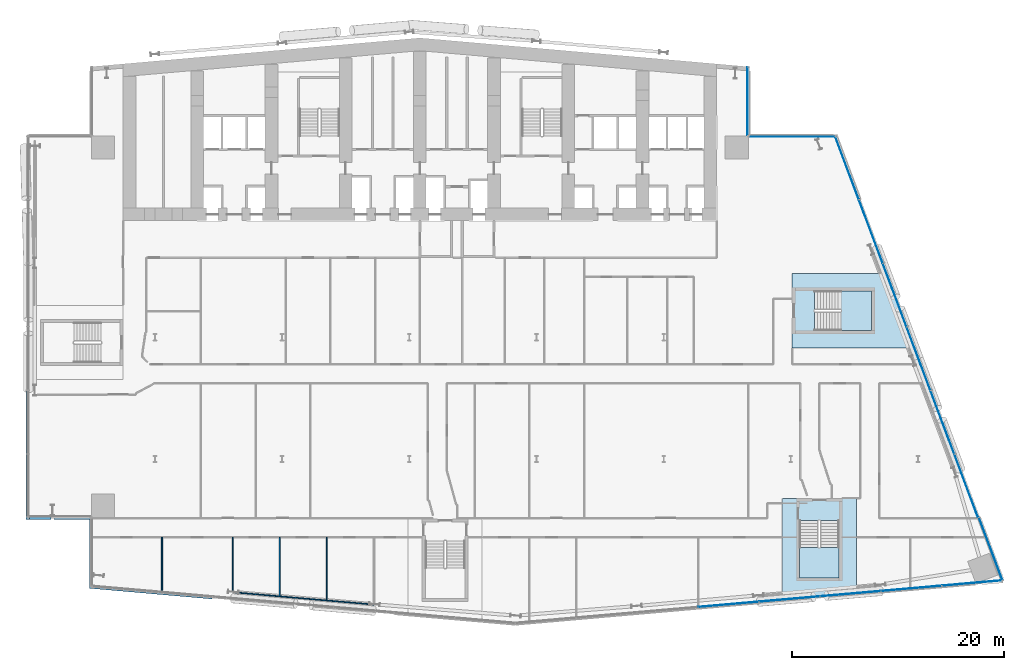
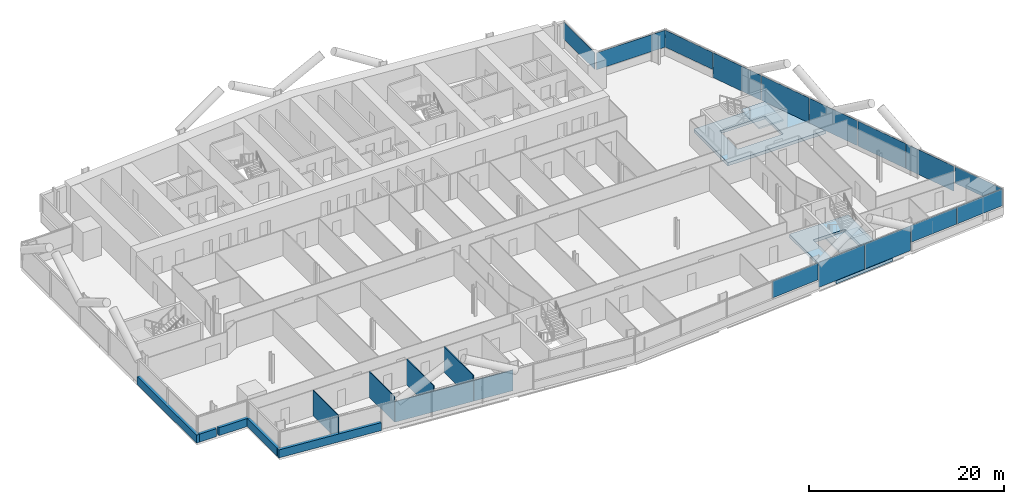
# One storey, part 12 of 28: 14 plates, 11 walls, 4 slabs, 6 elements without a shape of their own.
"""IFC4 building model written with IfcOpenShell, lengths in metres."""

from ifc_helpers import new_model, si_unit, direction, frame, frame_2d, origin, origin_2d, place, context, subcontext, project, spatial, polyline, rectangle, outline, extrude, material, layer, layer_set, type_object, element, aggregate, save


model = new_model("IFC4")

# Units and contexts
model_context = context("Model", 3, precision=1e-05, world=origin(), true_north=direction((0.0, 1.0)))
body_context = subcontext(model_context, "Body", "Model", "MODEL_VIEW")
ifc_project = project(units=[si_unit("LENGTHUNIT", "METRE"), si_unit("AREAUNIT", "SQUARE_METRE"), si_unit("VOLUMEUNIT", "CUBIC_METRE"), si_unit("PLANEANGLEUNIT", "RADIAN"), si_unit("MASSUNIT", "GRAM", prefix="KILO")], contexts=[model_context])

# Site, building, storey
site_placement = place(None, origin())
site = spatial("IfcSite", under=ifc_project, at=site_placement, CompositionType="ELEMENT")
building_placement = place(site_placement, origin())
building = spatial("IfcBuilding", under=site, at=building_placement, Name="Wharfspan Tower", CompositionType="ELEMENT")
storey_placement = place(building_placement, frame((0.0, 0.0, 52.300049)))
storey = spatial("IfcBuildingStorey", under=building, at=storey_placement, Name="L09", CompositionType="ELEMENT", Elevation=52.300049)

# Curtain wall, plates
ifc_material_1 = material(Name="Aluminium 6063-T6", Category="aluminium")
curtain_wall_type_1 = type_object("IfcCurtainWallType", Name="CURTAIN WALL FACETED FRONT", PredefinedType="NOTDEFINED", material=ifc_material_1)
curtain_wall_1_placement = place(storey_placement, origin())
curtain_wall_1 = element("IfcCurtainWall", 1, at=curtain_wall_1_placement, inside=storey, type_object=curtain_wall_type_1, Name="Curtain wall S2", PredefinedType="NOTDEFINED")
ifc_material_2 = material(Name="Glass clear low-iron double glazing", Category="glass")
ifc_layer_1 = layer(ifc_material_2, 0.040039)
ifc_layer_set_1 = layer_set([ifc_layer_1], Name="Glass clear low-iron double glazing")
plate_type_1 = type_object("IfcPlateType", Name="GLASS PANEL FACETED FRONT 40", PredefinedType="CURTAIN_PANEL", material=ifc_layer_set_1)
plate_1_placement = place(storey_placement, frame((66.119873, -2.204102, 1.0), z_axis=(0.0, 0.0, 1.0), x_axis=(0.996197, 0.087156, 0.0)))
plate_1 = element("IfcPlate", 2, at=plate_1_placement, type_object=plate_type_1, Name="Curtain wall S2 panel 4", PredefinedType="CURTAIN_PANEL", context=body_context, shape_type="SweptSolid", body=[
    extrude(rectangle(XDim=5.711914, YDim=0.040039, at=origin_2d()), origin(), (0.0, 0.0, 1.0), 2.120117),
])
plate_2_placement = place(storey_placement, frame((83.369873, -0.694824, 1.0), z_axis=(0.0, 0.0, 1.0), x_axis=(0.996197, 0.087156, 0.0)))
plate_2 = element("IfcPlate", 3, at=plate_2_placement, type_object=plate_type_1, Name="Curtain wall S2 panel 7", PredefinedType="CURTAIN_PANEL", context=body_context, shape_type="SweptSolid", body=[
    extrude(rectangle(XDim=5.711914, YDim=0.040039, at=origin_2d()), origin(), (0.0, 0.0, 1.0), 2.120117),
])
plate_3_placement = place(storey_placement, frame((89.104736, -0.193115, 1.0), z_axis=(0.0, 0.0, 1.0), x_axis=(0.996197, 0.087156, 0.0)))
plate_3 = element("IfcPlate", 4, at=plate_3_placement, type_object=plate_type_1, Name="Curtain wall S2 panel 8", PredefinedType="CURTAIN_PANEL", context=body_context, shape_type="SweptSolid", body=[
    extrude(rectangle(XDim=5.681885, YDim=0.040039, at=origin_2d()), origin(), (0.0, 0.0, 1.0), 2.120117),
])

curtain_wall_type_2 = type_object("IfcCurtainWallType", Name="CURTAIN WALL PROW AND END", PredefinedType="NOTDEFINED", material=ifc_material_1)
curtain_wall_2_placement = place(storey_placement, origin())
curtain_wall_2 = element("IfcCurtainWall", 5, at=curtain_wall_2_placement, inside=storey, type_object=curtain_wall_type_2, Name="Curtain wall E", PredefinedType="NOTDEFINED")
ifc_layer_2 = layer(ifc_material_2, 0.040039)
ifc_layer_set_2 = layer_set([ifc_layer_2], Name="Glass clear low-iron double glazing")
plate_type_2 = type_object("IfcPlateType", Name="GLASS PANEL PROW AND END 40", PredefinedType="CURTAIN_PANEL", material=ifc_layer_set_2)
plate_4_placement = place(storey_placement, frame((90.869629, 3.01416, 1.0), z_axis=(0.0, 0.0, 1.0), x_axis=(-0.351123, 0.936328, 0.0)))
plate_4 = element("IfcPlate", 6, at=plate_4_placement, type_object=plate_type_2, Name="Curtain wall E panel 1", PredefinedType="CURTAIN_PANEL", context=body_context, shape_type="SweptSolid", body=[
    extrude(rectangle(XDim=6.318115, YDim=0.040039, at=origin_2d()), origin(), (0.0, 0.0, 1.0), 2.120117),
])
plate_5_placement = place(storey_placement, frame((77.30542, 38.957764, 1.0), z_axis=(0.0, 0.0, 1.0), x_axis=(-0.351123, 0.936328, 0.0)))
plate_5 = element("IfcPlate", 7, at=plate_5_placement, type_object=plate_type_2, Name="Curtain wall E panel 7", PredefinedType="CURTAIN_PANEL", context=body_context, shape_type="SweptSolid", body=[
    extrude(rectangle(XDim=6.318115, YDim=0.040039, at=origin_2d()), origin(), (0.0, 0.0, 1.0), 2.120117),
])

# Curtain wall, plate
curtain_wall_3_placement = place(storey_placement, origin())
curtain_wall_3 = element("IfcCurtainWall", 8, at=curtain_wall_3_placement, inside=storey, type_object=curtain_wall_type_2, Name="Curtain wall NRE-H", PredefinedType="NOTDEFINED")
plate_6_placement = place(storey_placement, frame((72.125, 41.919922, 1.0), z_axis=(0.0, 0.0, 1.0), x_axis=(-1.0, 0.0, 0.0)))
plate_6 = element("IfcPlate", 9, at=plate_6_placement, type_object=plate_type_2, Name="Curtain wall NRE-H panel 1", PredefinedType="CURTAIN_PANEL", context=body_context, shape_type="SweptSolid", body=[
    extrude(rectangle(XDim=8.129883, YDim=0.040039, at=origin_2d()), origin(), (0.0, 0.0, 1.0), 2.120117),
])
aggregate(curtain_wall_3, [plate_6])

curtain_wall_4_placement = place(storey_placement, origin())
curtain_wall_4 = element("IfcCurtainWall", 10, at=curtain_wall_4_placement, inside=storey, type_object=curtain_wall_type_2, Name="Curtain wall NRE-V", PredefinedType="NOTDEFINED")
plate_7_placement = place(storey_placement, frame((67.919922, 45.262451, 1.0), z_axis=(0.0, 0.0, 1.0), x_axis=(0.0, 1.0, 0.0)))
plate_7 = element("IfcPlate", 11, at=plate_7_placement, type_object=plate_type_2, Name="Curtain wall NRE-V panel 1", PredefinedType="CURTAIN_PANEL", context=body_context, shape_type="SweptSolid", body=[
    extrude(rectangle(XDim=6.405029, YDim=0.040039, at=origin_2d()), origin(), (0.0, 0.0, 1.0), 2.120117),
])
aggregate(curtain_wall_4, [plate_7])

# Plate
ifc_material_3 = material(Name="Aluminium composite opaque insulated panel", Category="aluminium")
ifc_layer_3 = layer(ifc_material_3, 0.040039)
ifc_layer_set_3 = layer_set([ifc_layer_3], Name="Aluminium composite opaque insulated panel")
plate_type_3 = type_object("IfcPlateType", Name="INFILL PANEL FACETED FRONT OPAQUE 40", PredefinedType="SHEET", material=ifc_layer_set_3)
plate_8_placement = place(storey_placement, frame((71.869873, -1.700928, 0.0), z_axis=(0.0, 0.0, 1.0), x_axis=(0.996197, 0.087156, 0.0)))
plate_8 = element("IfcPlate", 12, at=plate_8_placement, type_object=plate_type_3, Name="Curtain wall S2 panel 5", PredefinedType="SHEET", context=body_context, shape_type="SweptSolid", body=[
    extrude(rectangle(XDim=5.711914, YDim=0.040039, at=origin_2d()), origin(), (0.0, 0.0, 1.0), 3.120117),
])

plate_9_placement = place(storey_placement, frame((77.619873, -1.197998, 0.0), z_axis=(0.0, 0.0, 1.0), x_axis=(0.996197, 0.087156, 0.0)))
plate_9 = element("IfcPlate", 13, at=plate_9_placement, type_object=plate_type_3, Name="Curtain wall S2 panel 6", PredefinedType="SHEET", context=body_context, shape_type="SweptSolid", body=[
    extrude(rectangle(XDim=5.711914, YDim=0.040039, at=origin_2d()), origin(), (0.0, 0.0, 1.0), 3.120117),
])

aggregate(curtain_wall_1, [plate_1, plate_8, plate_9, plate_2, plate_3])

ifc_layer_4 = layer(ifc_material_3, 0.040039)
ifc_layer_set_4 = layer_set([ifc_layer_4], Name="Aluminium composite opaque insulated panel")
plate_type_4 = type_object("IfcPlateType", Name="INFILL PANEL PROW AND END OPAQUE 40", PredefinedType="SHEET", material=ifc_layer_set_4)
plate_10_placement = place(storey_placement, frame((88.550049, 8.971924, 0.0), z_axis=(0.0, 0.0, 1.0), x_axis=(-0.351123, 0.936328, 0.0)))
plate_10 = element("IfcPlate", 14, at=plate_10_placement, type_object=plate_type_4, Name="Curtain wall E panel 2", PredefinedType="SHEET", context=body_context, shape_type="SweptSolid", body=[
    extrude(rectangle(XDim=6.3479, YDim=0.040039, at=origin_2d()), origin(), (0.0, 0.0, 1.0), 3.120117),
])

plate_11_placement = place(storey_placement, frame((86.300049, 14.971924, 0.0), z_axis=(0.0, 0.0, 1.0), x_axis=(-0.351123, 0.936328, 0.0)))
plate_11 = element("IfcPlate", 15, at=plate_11_placement, type_object=plate_type_4, Name="Curtain wall E panel 3", PredefinedType="SHEET", context=body_context, shape_type="SweptSolid", body=[
    extrude(rectangle(XDim=6.3479, YDim=0.040039, at=origin_2d()), origin(), (0.0, 0.0, 1.0), 3.120117),
])

plate_12_placement = place(storey_placement, frame((84.050049, 20.971924, 0.0), z_axis=(0.0, 0.0, 1.0), x_axis=(-0.351123, 0.936328, 0.0)))
plate_12 = element("IfcPlate", 16, at=plate_12_placement, type_object=plate_type_4, Name="Curtain wall E panel 4", PredefinedType="SHEET", context=body_context, shape_type="SweptSolid", body=[
    extrude(rectangle(XDim=6.3479, YDim=0.040039, at=origin_2d()), origin(), (0.0, 0.0, 1.0), 3.120117),
])

plate_13_placement = place(storey_placement, frame((81.800049, 26.971924, 0.0), z_axis=(0.0, 0.0, 1.0), x_axis=(-0.351123, 0.936328, 0.0)))
plate_13 = element("IfcPlate", 17, at=plate_13_placement, type_object=plate_type_4, Name="Curtain wall E panel 5", PredefinedType="SHEET", context=body_context, shape_type="SweptSolid", body=[
    extrude(rectangle(XDim=6.3479, YDim=0.040039, at=origin_2d()), origin(), (0.0, 0.0, 1.0), 3.120117),
])

plate_14_placement = place(storey_placement, frame((79.550049, 32.971924, 0.0), z_axis=(0.0, 0.0, 1.0), x_axis=(-0.351123, 0.936328, 0.0)))
plate_14 = element("IfcPlate", 18, at=plate_14_placement, type_object=plate_type_4, Name="Curtain wall E panel 6", PredefinedType="SHEET", context=body_context, shape_type="SweptSolid", body=[
    extrude(rectangle(XDim=6.3479, YDim=0.040039, at=origin_2d()), origin(), (0.0, 0.0, 1.0), 3.120117),
])

aggregate(curtain_wall_2, [plate_4, plate_10, plate_11, plate_12, plate_13, plate_14, plate_5])

# Slabs
ifc_material_4 = material(Name="Concrete C40/50", Category="concrete")
ifc_layer_5 = layer(ifc_material_4, 0.399902)
ifc_layer_set_5 = layer_set([ifc_layer_5], Name="Concrete C40/50")
slab_type_1 = type_object("IfcSlabType", Name="Post-tensioned flat slab 400", PredefinedType="FLOOR", material=ifc_layer_set_5)
slab_1_placement = place(storey_placement, frame((0.0, 0.0, -0.400146)))
element("IfcSlab", 19, at=slab_1_placement, inside=storey, type_object=slab_type_1, Name="Core floor slab L09 part 5", PredefinedType="FLOOR", context=body_context, shape_type="SweptSolid", body=[
    extrude(outline(polyline([(78.192383, 7.791992), (76.867432, 7.791992), (72.517578, 7.791992), (71.192383, 7.791992), (71.192383, -1.820312), (78.192383, -1.208008), (78.192383, 7.791992)]), holes=[polyline([(76.567383, 5.694092), (76.567627, 5.694092), (76.567871, 5.694092), (76.568115, 5.693848), (76.568115, 5.693848), (76.568359, 5.693848), (76.568604, 5.693604), (76.568604, 5.693604), (76.568848, 5.693359), (76.569092, 5.693359), (76.569092, 5.693115), (76.569092, 5.692871), (76.569336, 5.692871), (76.569336, 5.692627), (76.569336, 5.692383), (76.56958, 5.692139), (76.56958, 5.691895), (76.56958, 0.291992), (76.56958, 0.291748), (76.569336, 0.291504), (76.569336, 0.291504), (76.569336, 0.29126), (76.569092, 0.291016), (76.569092, 0.291016), (76.569092, 0.290771), (76.568848, 0.290527), (76.568604, 0.290527), (76.568604, 0.290283), (76.568359, 0.290283), (76.568115, 0.290283), (76.568115, 0.290039), (76.567871, 0.290039), (76.567627, 0.290039), (76.567383, 0.290039), (72.817383, 0.290039), (72.817383, 0.290039), (72.817139, 0.290039), (72.816895, 0.290039), (72.81665, 0.290283), (72.816406, 0.290283), (72.816406, 0.290283), (72.816162, 0.290527), (72.816162, 0.290527), (72.815918, 0.290771), (72.815918, 0.291016), (72.815674, 0.291016), (72.815674, 0.29126), (72.815674, 0.291504), (72.81543, 0.291504), (72.81543, 0.291748), (72.81543, 0.291992), (72.81543, 5.691895), (72.81543, 5.692139), (72.81543, 5.692383), (72.815674, 5.692627), (72.815674, 5.692871), (72.815674, 5.692871), (72.815918, 5.693115), (72.815918, 5.693359), (72.816162, 5.693359), (72.816162, 5.693604), (72.816406, 5.693604), (72.816406, 5.693848), (72.81665, 5.693848), (72.816895, 5.693848), (72.817139, 5.694092), (72.817383, 5.694092), (72.817383, 5.694092), (76.567383, 5.694092)])]), origin(), (0.0, 0.0, 1.0), 0.400146),
])
slab_2_placement = place(storey_placement, frame((0.0, 0.0, -0.400146)))
element("IfcSlab", 20, at=slab_2_placement, inside=storey, type_object=slab_type_1, Name="Core floor slab L09 part 6", PredefinedType="FLOOR", context=body_context, shape_type="SweptSolid", body=[
    extrude(outline(polyline([(81.125, 29.0), (72.125, 29.0), (72.125, 27.675049), (72.125, 23.324951), (72.125, 22.0), (83.75, 22.0), (81.125, 29.0)]), holes=[polyline([(74.2229, 27.375), (74.2229, 27.375244), (74.2229, 27.375488), (74.223145, 27.375488), (74.223145, 27.375732), (74.223145, 27.375977), (74.223389, 27.376221), (74.223389, 27.376221), (74.223633, 27.376465), (74.223633, 27.376465), (74.223877, 27.376709), (74.224121, 27.376709), (74.224121, 27.376709), (74.224365, 27.376953), (74.224609, 27.376953), (74.224854, 27.376953), (74.225098, 27.376953), (79.625, 27.376953), (79.625244, 27.376953), (79.625488, 27.376953), (79.625488, 27.376953), (79.625732, 27.376709), (79.625977, 27.376709), (79.626221, 27.376709), (79.626221, 27.376465), (79.626465, 27.376465), (79.626465, 27.376221), (79.626709, 27.376221), (79.626709, 27.375977), (79.626709, 27.375732), (79.626953, 27.375488), (79.626953, 27.375488), (79.626953, 27.375244), (79.626953, 27.375), (79.626953, 23.625), (79.626953, 23.624756), (79.626953, 23.624512), (79.626953, 23.624512), (79.626709, 23.624268), (79.626709, 23.624023), (79.626709, 23.623779), (79.626465, 23.623779), (79.626465, 23.623535), (79.626221, 23.623535), (79.626221, 23.623291), (79.625977, 23.623291), (79.625732, 23.623291), (79.625488, 23.623047), (79.625488, 23.623047), (79.625244, 23.623047), (79.625, 23.623047), (74.225098, 23.623047), (74.224854, 23.623047), (74.224609, 23.623047), (74.224365, 23.623047), (74.224121, 23.623291), (74.224121, 23.623291), (74.223877, 23.623291), (74.223633, 23.623535), (74.223633, 23.623535), (74.223389, 23.623779), (74.223389, 23.623779), (74.223145, 23.624023), (74.223145, 23.624268), (74.223145, 23.624512), (74.2229, 23.624512), (74.2229, 23.624756), (74.2229, 23.625), (74.2229, 27.375)])]), origin(), (0.0, 0.0, 1.0), 0.400146),
])

# Stair, slab
stair_type = type_object("IfcStairType", Name="Half-turn stair 20 risers 180 mm", PredefinedType="HALF_TURN_STAIR", material=ifc_material_4)
stair_1_placement = place(storey_placement, origin())
stair_1 = element("IfcStair", 21, at=stair_1_placement, inside=storey, type_object=stair_type, Name="L09 stair ST5", PredefinedType="HALF_TURN_STAIR")
ifc_layer_6 = layer(ifc_material_4, 0.199951)
ifc_layer_set_6 = layer_set([ifc_layer_6], Name="Concrete C40/50")
slab_type_2 = type_object("IfcSlabType", Name="Stair landing 200", PredefinedType="LANDING", material=ifc_layer_set_6)
slab_3_placement = place(storey_placement, frame((0.0, 0.0, 1.599854)))
slab_3 = element("IfcSlab", 22, at=slab_3_placement, type_object=slab_type_2, Name="ST5 landing 1", PredefinedType="LANDING", context=body_context, shape_type="SweptSolid", body=[
    extrude(outline(polyline([(72.817383, 3.172119), (72.817383, 0.291992), (76.567383, 0.291992), (76.567383, 3.172119), (72.817383, 3.172119)])), origin(), (0.0, 0.0, 1.0), 0.200195),
])
aggregate(stair_1, [slab_3])

stair_2_placement = place(storey_placement, origin())
stair_2 = element("IfcStair", 23, at=stair_2_placement, inside=storey, type_object=stair_type, Name="L09 stair ST6", PredefinedType="HALF_TURN_STAIR")
slab_4_placement = place(storey_placement, frame((0.0, 0.0, 1.599854)))
slab_4 = element("IfcSlab", 24, at=slab_4_placement, type_object=slab_type_2, Name="ST6 landing 1", PredefinedType="LANDING", context=body_context, shape_type="SweptSolid", body=[
    extrude(outline(polyline([(76.745117, 23.625), (79.625, 23.625), (79.625, 27.375), (76.745117, 27.375), (76.745117, 23.625)])), origin(), (0.0, 0.0, 1.0), 0.200195),
])
aggregate(stair_2, [slab_4])

# Walls
ifc_material_5 = material(Name="Gypsum board on steel studs", Category="steel")
ifc_layer_7 = layer(ifc_material_5, 0.100098)
ifc_layer_set_7 = layer_set([ifc_layer_7], Name="Gypsum board on steel studs")
wall_type_1 = type_object("IfcWallType", Name="Compartment wall 100 EI 60", PredefinedType="PARTITIONING", material=ifc_layer_set_7)
wall_1_placement = place(storey_placement, frame((12.669922, -1.088379, 0.0), z_axis=(0.0, 0.0, 1.0), x_axis=(0.0, 1.0, 0.0)))
element("IfcWall", 25, at=wall_1_placement, inside=storey, type_object=wall_type_1, Name="Partition L09.w019", PredefinedType="PARTITIONING", context=body_context, shape_type="SweptSolid", body=[
    extrude(rectangle(XDim=5.208496, YDim=0.100098, at=frame_2d((2.604248, 0.0))), origin(), (0.0, 0.0, 1.0), 3.199951),
])
wall_2_placement = place(storey_placement, frame((19.334961, -1.060059, 0.0), z_axis=(0.0, 0.0, 1.0), x_axis=(0.0, 1.0, 0.0)))
element("IfcWall", 26, at=wall_2_placement, inside=storey, type_object=wall_type_1, Name="Partition L09.w022", PredefinedType="PARTITIONING", context=body_context, shape_type="SweptSolid", body=[
    extrude(rectangle(XDim=5.180176, YDim=0.100098, at=frame_2d((2.590088, 0.0))), origin(), (0.0, 0.0, 1.0), 3.199951),
])
wall_3_placement = place(storey_placement, frame((23.780029, -1.449951, 0.0), z_axis=(0.0, 0.0, 1.0), x_axis=(0.0, 1.0, 0.0)))
element("IfcWall", 27, at=wall_3_placement, inside=storey, type_object=wall_type_1, Name="Partition L09.w024", PredefinedType="PARTITIONING", context=body_context, shape_type="SweptSolid", body=[
    extrude(rectangle(XDim=5.570068, YDim=0.100098, at=frame_2d((2.785156, 0.0))), origin(), (0.0, 0.0, 1.0), 3.199951),
])
wall_4_placement = place(storey_placement, frame((28.225098, -1.840088, 0.0), z_axis=(0.0, 0.0, 1.0), x_axis=(0.0, 1.0, 0.0)))
element("IfcWall", 28, at=wall_4_placement, inside=storey, type_object=wall_type_1, Name="Partition L09.w028", PredefinedType="PARTITIONING", context=body_context, shape_type="SweptSolid", body=[
    extrude(rectangle(XDim=5.960205, YDim=0.100098, at=frame_2d((2.97998, 0.0))), origin(), (0.0, 0.0, 1.0), 3.199951),
])
ifc_layer_8 = layer(ifc_material_5, 0.100098)
ifc_layer_set_8 = layer_set([ifc_layer_8], Name="Gypsum board on steel studs")
wall_type_2 = type_object("IfcWallType", Name="Partition 100", PredefinedType="PARTITIONING", material=ifc_layer_set_8)
wall_5_placement = place(storey_placement, frame((28.219971, -1.840088, 0.0), z_axis=(0.0, 0.0, 1.0), x_axis=(-0.996164, 0.087512, 0.0)))
element("IfcWall", 29, at=wall_5_placement, inside=storey, type_object=wall_type_2, Name="Partition L09.w027", PredefinedType="PARTITIONING", context=body_context, shape_type="SweptSolid", body=[
    extrude(rectangle(XDim=8.918945, YDim=0.100098, at=frame_2d((4.459473, 0.0))), origin(), (0.0, 0.0, 1.0), 2.579834),
])
wall_6_placement = place(storey_placement, frame((32.665039, -2.225098, 0.0), z_axis=(0.0, 0.0, 1.0), x_axis=(-0.996263, 0.086391, 0.0)))
element("IfcWall", 30, at=wall_6_placement, inside=storey, type_object=wall_type_2, Name="Partition L09.w030", PredefinedType="PARTITIONING", context=body_context, shape_type="SweptSolid", body=[
    extrude(rectangle(XDim=4.456543, YDim=0.100098, at=frame_2d((2.228271, 0.0))), origin(), (0.0, 0.0, 1.0), 2.579834),
])
ifc_layer_9 = layer(ifc_material_4, 0.350098)
ifc_layer_set_9 = layer_set([ifc_layer_9], Name="Concrete C40/50")
wall_type_3 = type_object("IfcWallType", Name="SPANDREL EXPOSED CONCRETE 350", PredefinedType="SOLIDWALL", material=ifc_layer_set_9)
wall_7_placement = place(storey_placement, frame((5.835205, -0.515625, 0.0), z_axis=(0.0, 0.0, 1.0), x_axis=(0.996192, -0.087142, 0.0)))
element("IfcWall", 31, at=wall_7_placement, inside=storey, type_object=wall_type_3, Name="Spandrel upstand L09 S1 1", PredefinedType="SOLIDWALL", context=body_context, shape_type="SweptSolid", body=[
    extrude(rectangle(XDim=11.607178, YDim=0.350098, at=frame_2d((5.803711, 0.0))), origin(), (0.0, 0.0, 1.0), 1.0),
])
wall_8_placement = place(storey_placement, frame((-0.004883, 17.969971, 0.0), z_axis=(0.0, 0.0, 1.0), x_axis=(0.0, -1.0, 0.0)))
element("IfcWall", 32, at=wall_8_placement, inside=storey, type_object=wall_type_3, Name="Spandrel upstand L09 W", PredefinedType="SOLIDWALL", context=body_context, shape_type="SweptSolid", body=[
    extrude(rectangle(XDim=12.149902, YDim=0.350098, at=frame_2d((6.074951, 0.0))), origin(), (0.0, 0.0, 1.0), 1.0),
])
wall_9_placement = place(storey_placement, frame((0.169922, 5.995117, 0.0), z_axis=(0.0, 0.0, 1.0), x_axis=(1.0, 0.0, 0.0)))
element("IfcWall", 33, at=wall_9_placement, inside=storey, type_object=wall_type_3, Name="Spandrel upstand L09 NFW-H", PredefinedType="SOLIDWALL", context=body_context, shape_type="SweptSolid", body=[
    extrude(rectangle(XDim=2.010742, YDim=0.350098, at=frame_2d((1.005371, 0.0))), origin(), (0.0, 0.0, 1.0), 1.0),
])
wall_10_placement = place(storey_placement, frame((2.482666, 5.995117, 0.0), z_axis=(0.0, 0.0, 1.0), x_axis=(1.0, 0.0, 0.0)))
element("IfcWall", 34, at=wall_10_placement, inside=storey, type_object=wall_type_3, Name="Spandrel upstand L09 NFW-H 2", PredefinedType="SOLIDWALL", context=body_context, shape_type="SweptSolid", body=[
    extrude(rectangle(XDim=3.517334, YDim=0.350098, at=frame_2d((1.758789, 0.0))), origin(), (0.0, 0.0, 1.0), 1.0),
])
wall_11_placement = place(storey_placement, frame((5.995117, 5.820068, 0.0), z_axis=(0.0, 0.0, 1.0), x_axis=(0.0, -1.0, 0.0)))
element("IfcWall", 35, at=wall_11_placement, inside=storey, type_object=wall_type_3, Name="Spandrel upstand L09 NFW-V", PredefinedType="SOLIDWALL", context=body_context, shape_type="SweptSolid", body=[
    extrude(rectangle(XDim=6.161377, YDim=0.350098, at=frame_2d((3.080566, 0.0))), origin(), (0.0, 0.0, 1.0), 1.0),
])

save(model, "model.ifc")
